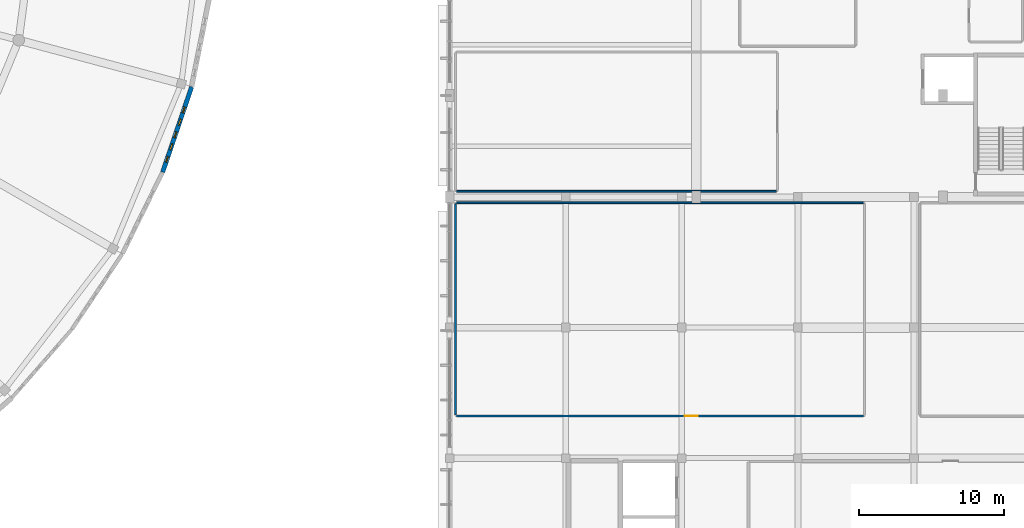
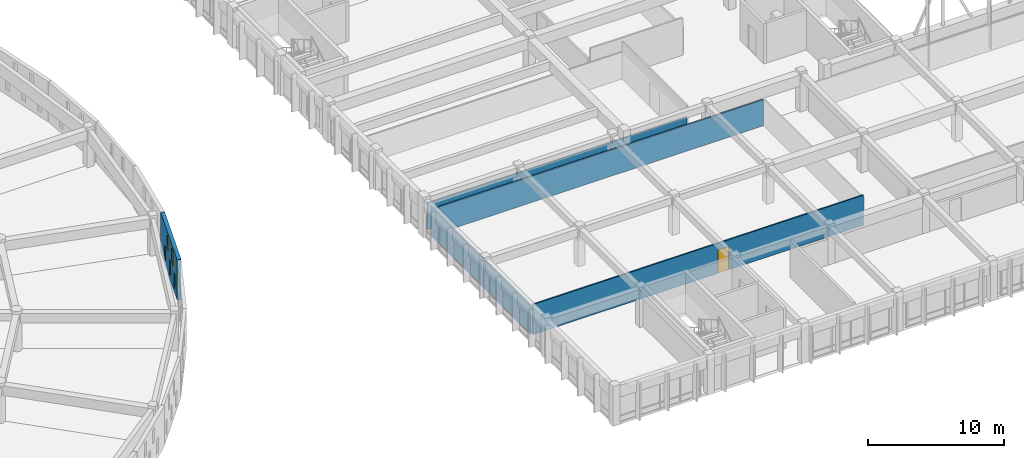
# One storey, part 111 of 155: 5 walls, 5 windows, 1 door, 6 openings.
"""IFC4 building model written with IfcOpenShell, lengths in metres."""

from ifc_helpers import new_model, si_unit, direction, frame, frame_2d, origin, place, context, subcontext, project, spatial, rectangle, extrude, material, layer, layer_set, type_object, element, fill, save


model = new_model("IFC4")

# Units and contexts
model_context = context("Model", 3, precision=1e-05, world=origin(), true_north=direction((0.0, 1.0)))
body_context = subcontext(model_context, "Body", "Model", "MODEL_VIEW")
ifc_project = project(units=[si_unit("LENGTHUNIT", "METRE"), si_unit("AREAUNIT", "SQUARE_METRE"), si_unit("VOLUMEUNIT", "CUBIC_METRE"), si_unit("PLANEANGLEUNIT", "RADIAN"), si_unit("MASSUNIT", "GRAM", prefix="KILO")], contexts=[model_context])

# Site, building, storey
site_placement = place(None, origin())
site = spatial("IfcSite", under=ifc_project, at=site_placement, CompositionType="ELEMENT")
building_placement = place(site_placement, origin())
building = spatial("IfcBuilding", under=site, at=building_placement, Name="Larkveld Mobility Hub", CompositionType="ELEMENT")
storey_placement = place(building_placement, frame((0.0, 0.0, 8.39990234375)))
storey = spatial("IfcBuildingStorey", under=building, at=storey_placement, Name="L02", CompositionType="ELEMENT", Elevation=8.39990234375)

# Wall, openings, windows
ifc_material_1 = material(Name="Fired clay brick 25 MPa", Category="masonry")
ifc_layer_1 = layer(ifc_material_1, 0.31005859375, Name="Fired clay brick 25 MPa", Category="masonry")
ifc_layer_set_1 = layer_set([ifc_layer_1], Name="Fired clay brick 25 MPa")
wall_type_1 = type_object("IfcWallType", Name="WL-BRK-310", PredefinedType="USERDEFINED", material=ifc_layer_set_1)
wall_1_placement = place(storey_placement, frame((92.216064453125, 29.7119140625, 0.0), z_axis=(0.0, 0.0, 1.0), x_axis=(0.321364960579, 0.946955417172, 0.0)))
wall_1 = element("IfcWall", 1, at=wall_1_placement, inside=storey, type_object=wall_type_1, Name="Drum Woven Open-Bond Brick Chord L02-0136", ObjectType="PERFORATED BRICK SCREEN", PredefinedType="USERDEFINED", context=body_context, shape_type="SweptSolid", body=[
    extrude(rectangle(XDim=6.21044921875, YDim=0.31005859375, at=frame_2d((3.105224609375, 0.0))), origin(), (0.0, 0.0, 1.0), 3.60009765625),
])
opening_1_placement = place(wall_1_placement, frame((0.719970703125, 0.0, 0.419921875)))
opening_1 = element("IfcOpeningElement", 2, at=opening_1_placement, cuts=wall_1, Name="Opening W01", PredefinedType="OPENING", context=body_context, shape_type="SweptSolid", body=[
    extrude(rectangle(XDim=0.419921875, YDim=1.280029296875, at=frame_2d((0.2099609375, 0.64013671875))), frame((0.0, 0.1650390625, 0.0), z_axis=(0.0, -1.0, 0.0), x_axis=(1.0, 0.0, 0.0)), (0.0, 0.0, 1.0), 0.330078125),
])
opening_2_placement = place(wall_1_placement, frame((2.52001953125, 0.0, 0.419921875)))
opening_2 = element("IfcOpeningElement", 3, at=opening_2_placement, cuts=wall_1, Name="Opening W01", PredefinedType="OPENING", context=body_context, shape_type="SweptSolid", body=[
    extrude(rectangle(XDim=0.419921875, YDim=1.280029296875, at=frame_2d((0.2099609375, 0.64013671875))), frame((0.0, 0.1650390625, 0.0), z_axis=(0.0, -1.0, 0.0), x_axis=(1.0, 0.0, 0.0)), (0.0, 0.0, 1.0), 0.330078125),
])
opening_3_placement = place(wall_1_placement, frame((4.320068359375, 0.0, 0.419921875)))
opening_3 = element("IfcOpeningElement", 4, at=opening_3_placement, cuts=wall_1, Name="Opening W01", PredefinedType="OPENING", context=body_context, shape_type="SweptSolid", body=[
    extrude(rectangle(XDim=0.419921875, YDim=1.280029296875, at=frame_2d((0.2099609375, 0.64013671875))), frame((0.0, 0.1650390625, 0.0), z_axis=(0.0, -1.0, 0.0), x_axis=(1.0, 0.0, 0.0)), (0.0, 0.0, 1.0), 0.330078125),
])
opening_4_placement = place(wall_1_placement, frame((1.6201171875, 0.0, 1.97998046875)))
opening_4 = element("IfcOpeningElement", 5, at=opening_4_placement, cuts=wall_1, Name="Opening W02", PredefinedType="OPENING", context=body_context, shape_type="SweptSolid", body=[
    extrude(rectangle(XDim=0.449951171875, YDim=1.320068359375, at=frame_2d((0.22509765625, 0.66015625))), frame((0.0, 0.1650390625, 0.0), z_axis=(0.0, -1.0, 0.0), x_axis=(1.0, 0.0, 0.0)), (0.0, 0.0, 1.0), 0.330078125),
])
opening_5_placement = place(wall_1_placement, frame((3.419921875, 0.0, 1.97998046875)))
opening_5 = element("IfcOpeningElement", 6, at=opening_5_placement, cuts=wall_1, Name="Opening W02", PredefinedType="OPENING", context=body_context, shape_type="SweptSolid", body=[
    extrude(rectangle(XDim=0.449951171875, YDim=1.320068359375, at=frame_2d((0.22509765625, 0.66015625))), frame((0.0, 0.1650390625, 0.0), z_axis=(0.0, -1.0, 0.0), x_axis=(1.0, 0.0, 0.0)), (0.0, 0.0, 1.0), 0.330078125),
])
ifc_material_2 = material(Name="Extruded aluminium ventilation grille", Category="aluminium")
window_type_1 = type_object("IfcWindowType", Name="WN-VENT-01", PartitioningType="SINGLE_PANEL", PredefinedType="WINDOW", material=ifc_material_2)
window_1_placement = place(opening_1_placement, origin())
window_1 = element("IfcWindow", 7, at=window_1_placement, inside=storey, type_object=window_type_1, Name="Window W01 (0666)", OverallHeight=1.280029296875, OverallWidth=0.419921875, PartitioningType="SINGLE_PANEL", PredefinedType="WINDOW", context=body_context, shape_type="SweptSolid", body=[
    extrude(rectangle(XDim=0.419921875, YDim=1.280029296875, at=frame_2d((0.2099609375, 0.64013671875))), frame((0.0, 0.030029296875, 0.0), z_axis=(0.0, -1.0, 0.0), x_axis=(1.0, 0.0, 0.0)), (0.0, 0.0, 1.0), 0.06005859375),
])
fill(opening_1, window_1)
window_2_placement = place(opening_2_placement, origin())
window_2 = element("IfcWindow", 8, at=window_2_placement, inside=storey, type_object=window_type_1, Name="Window W01 (0667)", OverallHeight=1.280029296875, OverallWidth=0.419921875, PartitioningType="SINGLE_PANEL", PredefinedType="WINDOW", context=body_context, shape_type="SweptSolid", body=[
    extrude(rectangle(XDim=0.419921875, YDim=1.280029296875, at=frame_2d((0.2099609375, 0.64013671875))), frame((0.0, 0.030029296875, 0.0), z_axis=(0.0, -1.0, 0.0), x_axis=(1.0, 0.0, 0.0)), (0.0, 0.0, 1.0), 0.06005859375),
])
fill(opening_2, window_2)
window_3_placement = place(opening_3_placement, origin())
window_3 = element("IfcWindow", 9, at=window_3_placement, inside=storey, type_object=window_type_1, Name="Window W01 (0668)", OverallHeight=1.280029296875, OverallWidth=0.419921875, PartitioningType="SINGLE_PANEL", PredefinedType="WINDOW", context=body_context, shape_type="SweptSolid", body=[
    extrude(rectangle(XDim=0.419921875, YDim=1.280029296875, at=frame_2d((0.2099609375, 0.64013671875))), frame((0.0, 0.030029296875, 0.0), z_axis=(0.0, -1.0, 0.0), x_axis=(1.0, 0.0, 0.0)), (0.0, 0.0, 1.0), 0.06005859375),
])
fill(opening_3, window_3)
window_type_2 = type_object("IfcWindowType", Name="WN-VENT-02", PartitioningType="SINGLE_PANEL", PredefinedType="WINDOW", material=ifc_material_2)
window_4_placement = place(opening_4_placement, origin())
window_4 = element("IfcWindow", 10, at=window_4_placement, inside=storey, type_object=window_type_2, Name="Window W02 (0669)", OverallHeight=1.320068359375, OverallWidth=0.449951171875, PartitioningType="SINGLE_PANEL", PredefinedType="WINDOW", context=body_context, shape_type="SweptSolid", body=[
    extrude(rectangle(XDim=0.449951171875, YDim=1.320068359375, at=frame_2d((0.22509765625, 0.66015625))), frame((0.0, 0.030029296875, 0.0), z_axis=(0.0, -1.0, 0.0), x_axis=(1.0, 0.0, 0.0)), (0.0, 0.0, 1.0), 0.06005859375),
])
fill(opening_4, window_4)
window_5_placement = place(opening_5_placement, origin())
window_5 = element("IfcWindow", 11, at=window_5_placement, inside=storey, type_object=window_type_2, Name="Window W02 (0670)", OverallHeight=1.320068359375, OverallWidth=0.449951171875, PartitioningType="SINGLE_PANEL", PredefinedType="WINDOW", context=body_context, shape_type="SweptSolid", body=[
    extrude(rectangle(XDim=0.449951171875, YDim=1.320068359375, at=frame_2d((0.22509765625, 0.66015625))), frame((0.0, 0.030029296875, 0.0), z_axis=(0.0, -1.0, 0.0), x_axis=(1.0, 0.0, 0.0)), (0.0, 0.0, 1.0), 0.06005859375),
])
fill(opening_5, window_5)

# Wall
ifc_material_3 = material(Name="Concrete blockwork masonry 14 MPa", Category="masonry")
ifc_layer_2 = layer(ifc_material_3, 0.1201171875, Name="Concrete blockwork masonry 14 MPa", Category="masonry")
ifc_layer_set_2 = layer_set([ifc_layer_2], Name="Concrete blockwork masonry 14 MPa")
wall_type_2 = type_object("IfcWallType", Name="WL-PRT-120", PredefinedType="PARTITIONING", material=ifc_layer_set_2)
wall_2_placement = place(storey_placement, frame((112.47998046875, 28.39990234375, 0.0), z_axis=(0.0, 0.0, 1.0), x_axis=(1.0, 0.0, 0.0)))
element("IfcWall", 12, at=wall_2_placement, inside=storey, type_object=wall_type_2, Name="Regional Coach Passenger Lounge Partition 0122", PredefinedType="PARTITIONING", context=body_context, shape_type="SweptSolid", body=[
    extrude(rectangle(XDim=22.0400390625, YDim=0.1201171875, at=frame_2d((11.02001953125, 0.0))), origin(), (0.0, 0.0, 1.0), 2.39501953125),
])

# Wall, opening, door
wall_3_placement = place(storey_placement, frame((112.47998046875, 12.89990234375, 0.0), z_axis=(0.0, 0.0, 1.0), x_axis=(1.0, 0.0, 0.0)))
wall_3 = element("IfcWall", 13, at=wall_3_placement, inside=storey, type_object=wall_type_2, Name="Integrated Transit Operations Control Centre Partition 0143", PredefinedType="PARTITIONING", context=body_context, shape_type="SweptSolid", body=[
    extrude(rectangle(XDim=28.0400390625, YDim=0.1201171875, at=frame_2d((14.02001953125, 0.0))), origin(), (0.0, 0.0, 1.0), 2.695068359375),
])
opening_6_placement = place(wall_3_placement, frame((15.717041015625, 0.0, 0.0)))
opening_6 = element("IfcOpeningElement", 14, at=opening_6_placement, cuts=wall_3, Name="Opening DI01", PredefinedType="OPENING", context=body_context, shape_type="SweptSolid", body=[
    extrude(rectangle(XDim=0.89990234375, YDim=2.10009765625, at=frame_2d((0.449951171875, 1.050048828125))), frame((0.0, 0.070068359375, 0.0), z_axis=(0.0, -1.0, 0.0), x_axis=(1.0, 0.0, 0.0)), (0.0, 0.0, 1.0), 0.14013671875),
])
ifc_material_4 = material(Name="Solid-core hardwood timber door in aluminium frame", Category="wood")
door_type = type_object("IfcDoorType", Name="DR-INT-090", OperationType="NOTDEFINED", PredefinedType="DOOR", material=ifc_material_4)
door_placement = place(opening_6_placement, origin())
door = element("IfcDoor", 15, at=door_placement, inside=storey, type_object=door_type, Name="Integrated Transit Operations Control Centre Door 0037", OperationType="SINGLE_SWING_RIGHT", OverallHeight=2.10009765625, OverallWidth=0.89990234375, PredefinedType="DOOR", context=body_context, shape_type="SweptSolid", body=[
    extrude(rectangle(XDim=0.89990234375, YDim=2.10009765625, at=frame_2d((0.449951171875, 1.050048828125))), frame((0.0, 0.02490234375, 0.0), z_axis=(0.0, -1.0, 0.0), x_axis=(1.0, 0.0, 0.0)), (0.0, 0.0, 1.0), 0.050048828125),
])
fill(opening_6, door)

# Walls
wall_4_placement = place(storey_placement, frame((112.47998046875, 27.60009765625, 0.0), z_axis=(0.0, 0.0, 1.0), x_axis=(1.0, 0.0, 0.0)))
element("IfcWall", 16, at=wall_4_placement, inside=storey, type_object=wall_type_2, Name="Integrated Transit Operations Control Centre Partition 0144", PredefinedType="PARTITIONING", context=body_context, shape_type="SweptSolid", body=[
    extrude(rectangle(XDim=28.0400390625, YDim=0.1201171875, at=frame_2d((14.02001953125, 0.0))), origin(), (0.0, 0.0, 1.0), 2.34521484375),
])
wall_5_placement = place(storey_placement, frame((112.39990234375, 12.97998046875, 0.0), z_axis=(0.0, 0.0, 1.0), x_axis=(0.0, 1.0, 0.0)))
element("IfcWall", 17, at=wall_5_placement, inside=storey, type_object=wall_type_2, Name="Integrated Transit Operations Control Centre Partition 0145", PredefinedType="PARTITIONING", context=body_context, shape_type="SweptSolid", body=[
    extrude(rectangle(XDim=14.5400390625, YDim=0.1201171875, at=frame_2d((7.27001953125, 0.0))), origin(), (0.0, 0.0, 1.0), 2.59521484375),
])

save(model, "model.ifc")
